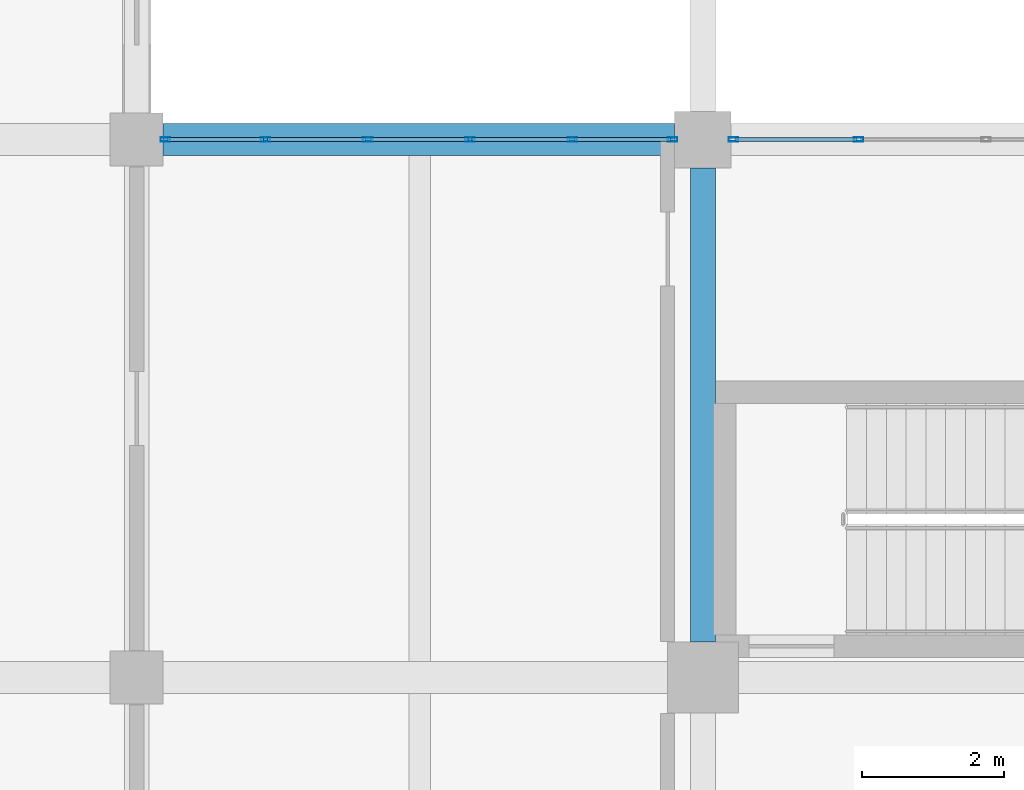
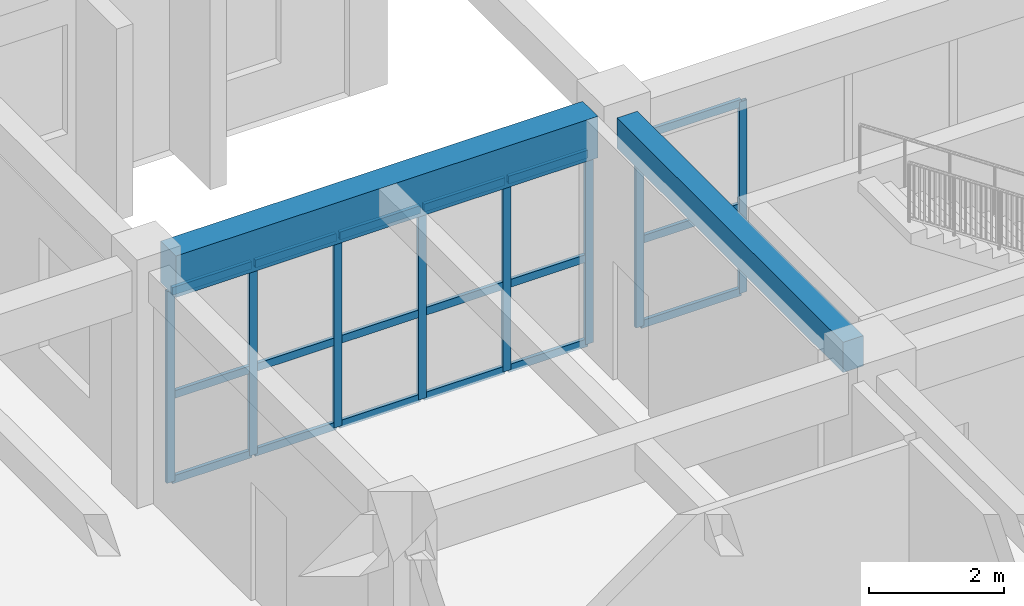
# One storey, part 20 of 79: 26 members, 2 beams, 2 elements without a shape of their own.
"""IFC4 building model written with IfcOpenShell, lengths in metres."""

from ifc_helpers import new_model, si_unit, direction, frame, origin, origin_2d, place, context, subcontext, project, spatial, rectangle, hollow_rectangle, extrude, material, material_profile, profile_set, type_object, element, aggregate, save


model = new_model("IFC4")

# Units and contexts
model_context = context("Model", 3, precision=1e-05, world=origin(), true_north=direction((0.0, 1.0)))
body_context = subcontext(model_context, "Body", "Model", "MODEL_VIEW")
ifc_project = project(units=[si_unit("LENGTHUNIT", "METRE"), si_unit("AREAUNIT", "SQUARE_METRE"), si_unit("VOLUMEUNIT", "CUBIC_METRE"), si_unit("PLANEANGLEUNIT", "RADIAN"), si_unit("MASSUNIT", "GRAM", prefix="KILO")], contexts=[model_context])

# Site, building, storey
site_placement = place(None, origin())
site = spatial("IfcSite", under=ifc_project, at=site_placement, CompositionType="ELEMENT")
building_placement = place(site_placement, origin())
building = spatial("IfcBuilding", under=site, at=building_placement, Name="Zantavel Square City Hall", CompositionType="ELEMENT")
storey_placement = place(building_placement, frame((0.0, 0.0, 10.199951171875)))
storey = spatial("IfcBuildingStorey", under=building, at=storey_placement, Name="L03", CompositionType="ELEMENT", Elevation=10.199951171875)

# Curtain wall, members
ifc_material_1 = material(Name="Anodised aluminium 6063-T6", Category="aluminium")
curtain_wall_type_1 = type_object("IfcCurtainWallType", Name="Curtain Wall TRV1 7225x3470", PredefinedType="USERDEFINED", material=ifc_material_1)
curtain_wall_1_placement = place(storey_placement, origin())
curtain_wall_1 = element("IfcCurtainWall", 1, at=curtain_wall_1_placement, inside=storey, type_object=curtain_wall_type_1, Name="L03 Glazed Curtain Wall CW-L03-083", ObjectType="GLAZED CURTAIN WALL", PredefinedType="USERDEFINED")
ifc_material_profile_1 = material_profile(ifc_material_1, hollow_rectangle(XDim=0.06005859375, YDim=0.135009765625, WallThickness=0.00390625, at=origin_2d()), Name="ALU 60x135x4")
ifc_profile_set_1 = profile_set([ifc_material_profile_1], Name="Anodised aluminium 6063-T6")
member_type_1 = type_object("IfcMemberType", Name="CW Mullion ALU 60x135x4", PredefinedType="MULLION", material=ifc_profile_set_1)
member_1_placement = place(storey_placement, frame((56.405029296875, 68.39990234375, 0.0), z_axis=(0.0, 0.0, 1.0), x_axis=(0.0, 1.0, 0.0)))
member_1 = element("IfcMember", 2, at=member_1_placement, type_object=member_type_1, Name="CW-083 mullion 1", PredefinedType="MULLION", context=body_context, shape_type="SweptSolid", body=[
    extrude(hollow_rectangle(XDim=0.06005859375, YDim=0.135009765625, WallThickness=0.00390625, at=origin_2d()), origin(), (0.0, 0.0, 1.0), 3.469970703125),
])
member_2_placement = place(storey_placement, frame((57.820068359375, 68.39990234375, 0.0), z_axis=(0.0, 0.0, 1.0), x_axis=(0.0, 1.0, 0.0)))
member_2 = element("IfcMember", 3, at=member_2_placement, type_object=member_type_1, Name="CW-083 mullion 2", PredefinedType="MULLION", context=body_context, shape_type="SweptSolid", body=[
    extrude(hollow_rectangle(XDim=0.06005859375, YDim=0.135009765625, WallThickness=0.00390625, at=origin_2d()), origin(), (0.0, 0.0, 1.0), 3.469970703125),
])
member_3_placement = place(storey_placement, frame((59.264892578125, 68.39990234375, 0.0), z_axis=(0.0, 0.0, 1.0), x_axis=(0.0, 1.0, 0.0)))
member_3 = element("IfcMember", 4, at=member_3_placement, type_object=member_type_1, Name="CW-083 mullion 3", PredefinedType="MULLION", context=body_context, shape_type="SweptSolid", body=[
    extrude(hollow_rectangle(XDim=0.06005859375, YDim=0.135009765625, WallThickness=0.00390625, at=origin_2d()), origin(), (0.0, 0.0, 1.0), 3.469970703125),
])
member_4_placement = place(storey_placement, frame((60.7099609375, 68.39990234375, 0.0), z_axis=(0.0, 0.0, 1.0), x_axis=(0.0, 1.0, 0.0)))
member_4 = element("IfcMember", 5, at=member_4_placement, type_object=member_type_1, Name="CW-083 mullion 4", PredefinedType="MULLION", context=body_context, shape_type="SweptSolid", body=[
    extrude(hollow_rectangle(XDim=0.06005859375, YDim=0.135009765625, WallThickness=0.00390625, at=origin_2d()), origin(), (0.0, 0.0, 1.0), 3.469970703125),
])
member_5_placement = place(storey_placement, frame((62.155029296875, 68.39990234375, 0.0), z_axis=(0.0, 0.0, 1.0), x_axis=(0.0, 1.0, 0.0)))
member_5 = element("IfcMember", 6, at=member_5_placement, type_object=member_type_1, Name="CW-083 mullion 5", PredefinedType="MULLION", context=body_context, shape_type="SweptSolid", body=[
    extrude(hollow_rectangle(XDim=0.06005859375, YDim=0.135009765625, WallThickness=0.00390625, at=origin_2d()), origin(), (0.0, 0.0, 1.0), 3.469970703125),
])
member_6_placement = place(storey_placement, frame((63.570068359375, 68.39990234375, 0.0), z_axis=(0.0, 0.0, 1.0), x_axis=(0.0, 1.0, 0.0)))
member_6 = element("IfcMember", 7, at=member_6_placement, type_object=member_type_1, Name="CW-083 mullion 6", PredefinedType="MULLION", context=body_context, shape_type="SweptSolid", body=[
    extrude(hollow_rectangle(XDim=0.06005859375, YDim=0.135009765625, WallThickness=0.00390625, at=origin_2d()), origin(), (0.0, 0.0, 1.0), 3.469970703125),
])

curtain_wall_type_2 = type_object("IfcCurtainWallType", Name="Curtain Wall TRV1 7200x3470", PredefinedType="USERDEFINED", material=ifc_material_1)
curtain_wall_2_placement = place(storey_placement, origin())
curtain_wall_2 = element("IfcCurtainWall", 8, at=curtain_wall_2_placement, inside=storey, type_object=curtain_wall_type_2, Name="L03 Glazed Curtain Wall CW-L03-084", ObjectType="GLAZED CURTAIN WALL", PredefinedType="USERDEFINED")
member_7_placement = place(storey_placement, frame((64.429931640625, 68.39990234375, 0.0), z_axis=(0.0, 0.0, 1.0), x_axis=(0.0, 1.0, 0.0)))
member_7 = element("IfcMember", 9, at=member_7_placement, type_object=member_type_1, Name="CW-084 mullion 1", PredefinedType="MULLION", context=body_context, shape_type="SweptSolid", body=[
    extrude(hollow_rectangle(XDim=0.06005859375, YDim=0.135009765625, WallThickness=0.00390625, at=origin_2d()), origin(), (0.0, 0.0, 1.0), 3.469970703125),
])
member_8_placement = place(storey_placement, frame((66.199951171875, 68.39990234375, 0.0), z_axis=(0.0, 0.0, 1.0), x_axis=(0.0, 1.0, 0.0)))
member_8 = element("IfcMember", 10, at=member_8_placement, type_object=member_type_1, Name="CW-084 mullion 2", PredefinedType="MULLION", context=body_context, shape_type="SweptSolid", body=[
    extrude(hollow_rectangle(XDim=0.06005859375, YDim=0.135009765625, WallThickness=0.00390625, at=origin_2d()), origin(), (0.0, 0.0, 1.0), 3.469970703125),
])

# Member
ifc_material_profile_2 = material_profile(ifc_material_1, hollow_rectangle(XDim=0.06005859375, YDim=0.139892578125, WallThickness=0.00390625, at=origin_2d()), Name="ALU 60x140x4")
ifc_profile_set_2 = profile_set([ifc_material_profile_2], Name="Anodised aluminium 6063-T6")
member_type_2 = type_object("IfcMemberType", Name="CW Transom ALU 60x140x4", PredefinedType="USERDEFINED", material=ifc_profile_set_2)
member_9_placement = place(storey_placement, frame((56.43505859375, 68.39990234375, 0.030029296875), z_axis=(1.0, 0.0, 0.0), x_axis=(0.0, 1.0, 0.0)))
member_9 = element("IfcMember", 11, at=member_9_placement, type_object=member_type_2, Name="CW-083 transom 1.1", ObjectType="TRANSOM", PredefinedType="USERDEFINED", context=body_context, shape_type="SweptSolid", body=[
    extrude(hollow_rectangle(XDim=0.06005859375, YDim=0.139892578125, WallThickness=0.00390625, at=origin_2d()), origin(), (0.0, 0.0, 1.0), 1.35498046875),
])

member_10_placement = place(storey_placement, frame((56.43505859375, 68.39990234375, 1.56201171875), z_axis=(1.0, 0.0, 0.0), x_axis=(0.0, 1.0, 0.0)))
member_10 = element("IfcMember", 12, at=member_10_placement, type_object=member_type_2, Name="CW-083 transom 1.2", ObjectType="TRANSOM", PredefinedType="USERDEFINED", context=body_context, shape_type="SweptSolid", body=[
    extrude(hollow_rectangle(XDim=0.06005859375, YDim=0.139892578125, WallThickness=0.00390625, at=origin_2d()), origin(), (0.0, 0.0, 1.0), 1.35498046875),
])

member_11_placement = place(storey_placement, frame((56.43505859375, 68.39990234375, 3.43994140625), z_axis=(1.0, 0.0, 0.0), x_axis=(0.0, 1.0, 0.0)))
member_11 = element("IfcMember", 13, at=member_11_placement, type_object=member_type_2, Name="CW-083 transom 1.3", ObjectType="TRANSOM", PredefinedType="USERDEFINED", context=body_context, shape_type="SweptSolid", body=[
    extrude(hollow_rectangle(XDim=0.06005859375, YDim=0.139892578125, WallThickness=0.00390625, at=origin_2d()), origin(), (0.0, 0.0, 1.0), 1.35498046875),
])

member_12_placement = place(storey_placement, frame((57.85009765625, 68.39990234375, 0.030029296875), z_axis=(1.0, 0.0, 0.0), x_axis=(0.0, 1.0, 0.0)))
member_12 = element("IfcMember", 14, at=member_12_placement, type_object=member_type_2, Name="CW-083 transom 2.1", ObjectType="TRANSOM", PredefinedType="USERDEFINED", context=body_context, shape_type="SweptSolid", body=[
    extrude(hollow_rectangle(XDim=0.06005859375, YDim=0.139892578125, WallThickness=0.00390625, at=origin_2d()), origin(), (0.0, 0.0, 1.0), 1.385009765625),
])

member_13_placement = place(storey_placement, frame((57.85009765625, 68.39990234375, 1.56201171875), z_axis=(1.0, 0.0, 0.0), x_axis=(0.0, 1.0, 0.0)))
member_13 = element("IfcMember", 15, at=member_13_placement, type_object=member_type_2, Name="CW-083 transom 2.2", ObjectType="TRANSOM", PredefinedType="USERDEFINED", context=body_context, shape_type="SweptSolid", body=[
    extrude(hollow_rectangle(XDim=0.06005859375, YDim=0.139892578125, WallThickness=0.00390625, at=origin_2d()), origin(), (0.0, 0.0, 1.0), 1.385009765625),
])

member_14_placement = place(storey_placement, frame((57.85009765625, 68.39990234375, 3.43994140625), z_axis=(1.0, 0.0, 0.0), x_axis=(0.0, 1.0, 0.0)))
member_14 = element("IfcMember", 16, at=member_14_placement, type_object=member_type_2, Name="CW-083 transom 2.3", ObjectType="TRANSOM", PredefinedType="USERDEFINED", context=body_context, shape_type="SweptSolid", body=[
    extrude(hollow_rectangle(XDim=0.06005859375, YDim=0.139892578125, WallThickness=0.00390625, at=origin_2d()), origin(), (0.0, 0.0, 1.0), 1.385009765625),
])

member_15_placement = place(storey_placement, frame((59.294921875, 68.39990234375, 0.030029296875), z_axis=(1.0, 0.0, 0.0), x_axis=(0.0, 1.0, 0.0)))
member_15 = element("IfcMember", 17, at=member_15_placement, type_object=member_type_2, Name="CW-083 transom 3.1", ObjectType="TRANSOM", PredefinedType="USERDEFINED", context=body_context, shape_type="SweptSolid", body=[
    extrude(hollow_rectangle(XDim=0.06005859375, YDim=0.139892578125, WallThickness=0.00390625, at=origin_2d()), origin(), (0.0, 0.0, 1.0), 1.385009765625),
])

member_16_placement = place(storey_placement, frame((59.294921875, 68.39990234375, 1.56201171875), z_axis=(1.0, 0.0, 0.0), x_axis=(0.0, 1.0, 0.0)))
member_16 = element("IfcMember", 18, at=member_16_placement, type_object=member_type_2, Name="CW-083 transom 3.2", ObjectType="TRANSOM", PredefinedType="USERDEFINED", context=body_context, shape_type="SweptSolid", body=[
    extrude(hollow_rectangle(XDim=0.06005859375, YDim=0.139892578125, WallThickness=0.00390625, at=origin_2d()), origin(), (0.0, 0.0, 1.0), 1.385009765625),
])

member_17_placement = place(storey_placement, frame((59.294921875, 68.39990234375, 3.43994140625), z_axis=(1.0, 0.0, 0.0), x_axis=(0.0, 1.0, 0.0)))
member_17 = element("IfcMember", 19, at=member_17_placement, type_object=member_type_2, Name="CW-083 transom 3.3", ObjectType="TRANSOM", PredefinedType="USERDEFINED", context=body_context, shape_type="SweptSolid", body=[
    extrude(hollow_rectangle(XDim=0.06005859375, YDim=0.139892578125, WallThickness=0.00390625, at=origin_2d()), origin(), (0.0, 0.0, 1.0), 1.385009765625),
])

member_18_placement = place(storey_placement, frame((60.739990234375, 68.39990234375, 0.030029296875), z_axis=(1.0, 0.0, 0.0), x_axis=(0.0, 1.0, 0.0)))
member_18 = element("IfcMember", 20, at=member_18_placement, type_object=member_type_2, Name="CW-083 transom 4.1", ObjectType="TRANSOM", PredefinedType="USERDEFINED", context=body_context, shape_type="SweptSolid", body=[
    extrude(hollow_rectangle(XDim=0.06005859375, YDim=0.139892578125, WallThickness=0.00390625, at=origin_2d()), origin(), (0.0, 0.0, 1.0), 1.385009765625),
])

member_19_placement = place(storey_placement, frame((60.739990234375, 68.39990234375, 1.56201171875), z_axis=(1.0, 0.0, 0.0), x_axis=(0.0, 1.0, 0.0)))
member_19 = element("IfcMember", 21, at=member_19_placement, type_object=member_type_2, Name="CW-083 transom 4.2", ObjectType="TRANSOM", PredefinedType="USERDEFINED", context=body_context, shape_type="SweptSolid", body=[
    extrude(hollow_rectangle(XDim=0.06005859375, YDim=0.139892578125, WallThickness=0.00390625, at=origin_2d()), origin(), (0.0, 0.0, 1.0), 1.385009765625),
])

member_20_placement = place(storey_placement, frame((60.739990234375, 68.39990234375, 3.43994140625), z_axis=(1.0, 0.0, 0.0), x_axis=(0.0, 1.0, 0.0)))
member_20 = element("IfcMember", 22, at=member_20_placement, type_object=member_type_2, Name="CW-083 transom 4.3", ObjectType="TRANSOM", PredefinedType="USERDEFINED", context=body_context, shape_type="SweptSolid", body=[
    extrude(hollow_rectangle(XDim=0.06005859375, YDim=0.139892578125, WallThickness=0.00390625, at=origin_2d()), origin(), (0.0, 0.0, 1.0), 1.385009765625),
])

member_21_placement = place(storey_placement, frame((62.18505859375, 68.39990234375, 0.030029296875), z_axis=(1.0, 0.0, 0.0), x_axis=(0.0, 1.0, 0.0)))
member_21 = element("IfcMember", 23, at=member_21_placement, type_object=member_type_2, Name="CW-083 transom 5.1", ObjectType="TRANSOM", PredefinedType="USERDEFINED", context=body_context, shape_type="SweptSolid", body=[
    extrude(hollow_rectangle(XDim=0.06005859375, YDim=0.139892578125, WallThickness=0.00390625, at=origin_2d()), origin(), (0.0, 0.0, 1.0), 1.35498046875),
])

member_22_placement = place(storey_placement, frame((62.18505859375, 68.39990234375, 1.56201171875), z_axis=(1.0, 0.0, 0.0), x_axis=(0.0, 1.0, 0.0)))
member_22 = element("IfcMember", 24, at=member_22_placement, type_object=member_type_2, Name="CW-083 transom 5.2", ObjectType="TRANSOM", PredefinedType="USERDEFINED", context=body_context, shape_type="SweptSolid", body=[
    extrude(hollow_rectangle(XDim=0.06005859375, YDim=0.139892578125, WallThickness=0.00390625, at=origin_2d()), origin(), (0.0, 0.0, 1.0), 1.35498046875),
])

member_23_placement = place(storey_placement, frame((62.18505859375, 68.39990234375, 3.43994140625), z_axis=(1.0, 0.0, 0.0), x_axis=(0.0, 1.0, 0.0)))
member_23 = element("IfcMember", 25, at=member_23_placement, type_object=member_type_2, Name="CW-083 transom 5.3", ObjectType="TRANSOM", PredefinedType="USERDEFINED", context=body_context, shape_type="SweptSolid", body=[
    extrude(hollow_rectangle(XDim=0.06005859375, YDim=0.139892578125, WallThickness=0.00390625, at=origin_2d()), origin(), (0.0, 0.0, 1.0), 1.35498046875),
])

aggregate(curtain_wall_1, [member_1, member_2, member_3, member_4, member_5, member_6, member_9, member_10, member_11, member_12, member_13, member_14, member_15, member_16, member_17, member_18, member_19, member_20, member_21, member_22, member_23])

member_24_placement = place(storey_placement, frame((64.4599609375, 68.39990234375, 0.030029296875), z_axis=(1.0, 0.0, 0.0), x_axis=(0.0, 1.0, 0.0)))
member_24 = element("IfcMember", 26, at=member_24_placement, type_object=member_type_2, Name="CW-084 transom 1.1", ObjectType="TRANSOM", PredefinedType="USERDEFINED", context=body_context, shape_type="SweptSolid", body=[
    extrude(hollow_rectangle(XDim=0.06005859375, YDim=0.139892578125, WallThickness=0.00390625, at=origin_2d()), origin(), (0.0, 0.0, 1.0), 1.7099609375),
])

member_25_placement = place(storey_placement, frame((64.4599609375, 68.39990234375, 1.56201171875), z_axis=(1.0, 0.0, 0.0), x_axis=(0.0, 1.0, 0.0)))
member_25 = element("IfcMember", 27, at=member_25_placement, type_object=member_type_2, Name="CW-084 transom 1.2", ObjectType="TRANSOM", PredefinedType="USERDEFINED", context=body_context, shape_type="SweptSolid", body=[
    extrude(hollow_rectangle(XDim=0.06005859375, YDim=0.139892578125, WallThickness=0.00390625, at=origin_2d()), origin(), (0.0, 0.0, 1.0), 1.7099609375),
])

member_26_placement = place(storey_placement, frame((64.4599609375, 68.39990234375, 3.43994140625), z_axis=(1.0, 0.0, 0.0), x_axis=(0.0, 1.0, 0.0)))
member_26 = element("IfcMember", 28, at=member_26_placement, type_object=member_type_2, Name="CW-084 transom 1.3", ObjectType="TRANSOM", PredefinedType="USERDEFINED", context=body_context, shape_type="SweptSolid", body=[
    extrude(hollow_rectangle(XDim=0.06005859375, YDim=0.139892578125, WallThickness=0.00390625, at=origin_2d()), origin(), (0.0, 0.0, 1.0), 1.7099609375),
])

aggregate(curtain_wall_2, [member_7, member_8, member_24, member_25, member_26])

# Beams
ifc_material_2 = material(Name="Concrete C35/45", Category="concrete")
ifc_material_profile_3 = material_profile(ifc_material_2, rectangle(XDim=0.449951171875, YDim=0.75, at=origin_2d()), Name="RC 450x750")
ifc_profile_set_3 = profile_set([ifc_material_profile_3], Name="Concrete C35/45")
beam_type_1 = type_object("IfcBeamType", Name="Primary Girder RC 450x750 C35/45", PredefinedType="BEAM", material=ifc_profile_set_3)
beam_1_placement = place(storey_placement, frame((56.375, 68.39990234375, 3.844970703125), z_axis=(1.0, 0.0, 0.0), x_axis=(0.0, 1.0, 0.0)))
element("IfcBeam", 29, at=beam_1_placement, inside=storey, type_object=beam_type_1, Name="L03 Girder BMX-L03-0560-0684", PredefinedType="BEAM", context=body_context, shape_type="SweptSolid", body=[
    extrude(rectangle(XDim=0.449951171875, YDim=0.75, at=origin_2d()), origin(), (0.0, 0.0, 1.0), 7.22509765625),
])
ifc_material_profile_4 = material_profile(ifc_material_2, rectangle(XDim=0.35009765625, YDim=0.550048828125, at=origin_2d()), Name="RC 350x550")
ifc_profile_set_4 = profile_set([ifc_material_profile_4], Name="Concrete C35/45")
beam_type_2 = type_object("IfcBeamType", Name="Secondary Beam RC 350x550 C35/45", PredefinedType="BEAM", material=ifc_profile_set_4)
beam_2_placement = place(storey_placement, frame((64.0, 61.300048828125, 3.945068359375), z_axis=(0.0, 1.0, 0.0), x_axis=(-1.0, 0.0, 0.0)))
element("IfcBeam", 30, at=beam_2_placement, inside=storey, type_object=beam_type_2, Name="L03 Beam BMY-L03-0640-0608", PredefinedType="BEAM", context=body_context, shape_type="SweptSolid", body=[
    extrude(rectangle(XDim=0.35009765625, YDim=0.550048828125, at=origin_2d()), origin(), (0.0, 0.0, 1.0), 6.699951171875),
])

save(model, "model.ifc")
